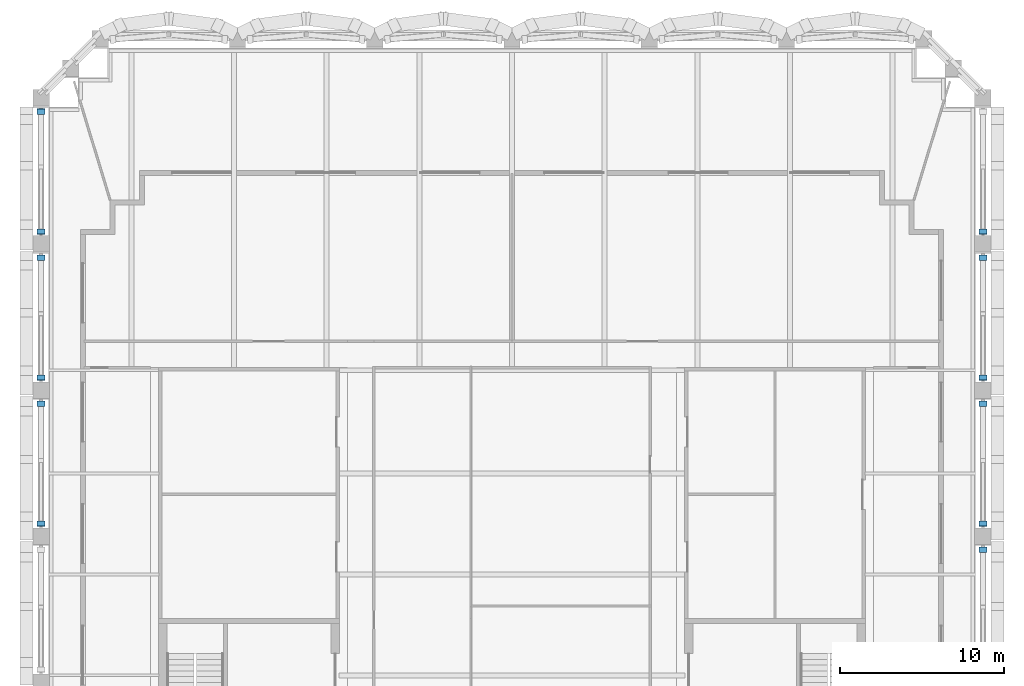
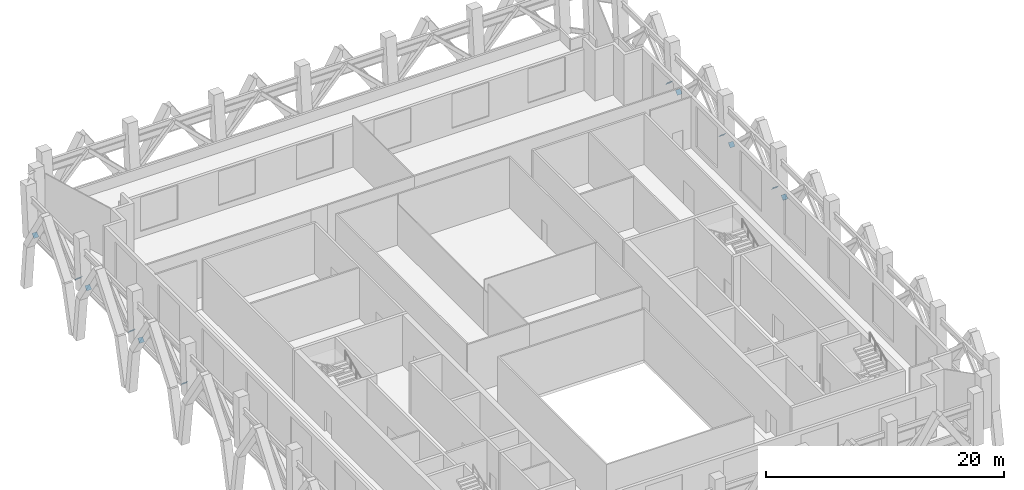
# One storey, part 10 of 13: 12 discrete accessories.
"""IFC4 building model written with IfcOpenShell, lengths in metres."""

from ifc_helpers import new_model, si_unit, direction, frame, origin, origin_2d, place, context, subcontext, project, spatial, rectangle, extrude, material, material_profile, profile_set, type_object, element, save


model = new_model("IFC4")

# Units and contexts
model_context = context("Model", 3, precision=1e-05, world=origin(), true_north=direction((0.0, 1.0)))
body_context = subcontext(model_context, "Body", "Model", "MODEL_VIEW")
ifc_project = project(units=[si_unit("LENGTHUNIT", "METRE"), si_unit("AREAUNIT", "SQUARE_METRE"), si_unit("VOLUMEUNIT", "CUBIC_METRE"), si_unit("PLANEANGLEUNIT", "RADIAN"), si_unit("MASSUNIT", "GRAM", prefix="KILO")], contexts=[model_context])

# Site, building, storey
site_placement = place(None, origin())
site = spatial("IfcSite", under=ifc_project, at=site_placement, CompositionType="ELEMENT")
building_placement = place(site_placement, origin())
building = spatial("IfcBuilding", under=site, at=building_placement, Name="Ogive Exchange Tower", CompositionType="ELEMENT")
storey_placement = place(building_placement, frame((0.0, 0.0, 363.60009765625)))
storey = spatial("IfcBuildingStorey", under=building, at=storey_placement, Name="L80", CompositionType="ELEMENT", Elevation=363.60009765625)

# Discrete accessories
ifc_material = material(Name="Steel ASTM A572 Gr50", Category="steel")
ifc_material_profile = material_profile(ifc_material, rectangle(XDim=0.47607421875, YDim=0.47607421875, at=origin_2d()), Name="PL 476 x 476 x 25")
ifc_profile_set = profile_set([ifc_material_profile], Name="Steel ASTM A572 Gr50")
discrete_accessory_type = type_object("IfcDiscreteAccessoryType", Name="Gusset plate 476 x 476 x 25", PredefinedType="USERDEFINED", material=ifc_profile_set)
for number, where, z_axis, x_axis, name in (
    (1, (28.64990234375, 29.944580078125, 0.66796875), (0.0, -0.731055268243, 0.68231825036), (1.0, 0.0, 0.0), "Belt truss diagonal 12b end plate A"),
    (2, (28.64990234375, 31.506591796875, 0.66796875), (0.0, 0.767424436745, 0.64113940285), (-1.0, 0.0, 0.0), "Belt truss diagonal 13a end plate A"),
    (3, (28.64990234375, 38.825927734375, 0.66796875), (0.0, -0.731055268243, 0.68231825036), (1.0, 0.0, 0.0), "Belt truss diagonal 13b end plate A"),
):
    element("IfcDiscreteAccessory", number, at=place(storey_placement, frame(where, z_axis=z_axis, x_axis=x_axis)), inside=storey, type_object=discrete_accessory_type, Name=name, ObjectType="GUSSET PLATE", PredefinedType="USERDEFINED", context=body_context, shape_type="SweptSolid", body=[
        extrude(rectangle(XDim=0.47607421875, YDim=0.47607421875, at=origin_2d()), origin(), (0.0, 0.0, 1.0), 0.025146484375),
    ])
discrete_accessory_1_placement = place(storey_placement, frame((28.64990234375, 40.38818359375, 0.66796875), z_axis=(0.0, 0.763386285369, 0.645942241466), x_axis=(-1.0, 0.0, 0.0)))
element("IfcDiscreteAccessory", 4, at=discrete_accessory_1_placement, inside=storey, type_object=discrete_accessory_type, Name="Belt truss diagonal 14a end plate A", ObjectType="GUSSET PLATE", PredefinedType="USERDEFINED", context=body_context, shape_type="SweptSolid", body=[
    extrude(rectangle(XDim=0.47607421875, YDim=0.47607421875, at=origin_2d()), origin(), (0.0, 0.0, 1.0), 0.02490234375),
])
discrete_accessory_2_placement = place(storey_placement, frame((28.64990234375, 47.707275390625, 0.66796875), z_axis=(0.0, -0.721582152295, 0.692328821796), x_axis=(1.0, 0.0, 0.0)))
element("IfcDiscreteAccessory", 5, at=discrete_accessory_2_placement, inside=storey, type_object=discrete_accessory_type, Name="Belt truss diagonal 14b end plate A", ObjectType="GUSSET PLATE", PredefinedType="USERDEFINED", context=body_context, shape_type="SweptSolid", body=[
    extrude(rectangle(XDim=0.47607421875, YDim=0.47607421875, at=origin_2d()), origin(), (0.0, 0.0, 1.0), 0.025146484375),
])
for number, where, z_axis, x_axis, name in (
    (6, (28.64990234375, 49.26953125, 0.66796875), (0.0, 0.772212319895, 0.635364567002), (-1.0, 0.0, 0.0), "Belt truss diagonal 15a end plate A"),
    (7, (-28.64990234375, 56.588623046875, 0.66796875), (0.0, -0.716858570585, 0.697218609747), (1.0, 0.0, 0.0), "Belt truss diagonal 26a end plate A"),
    (8, (-28.64990234375, 49.26953125, 0.66796875), (0.0, 0.772212319895, 0.635364567002), (-1.0, 0.0, 0.0), "Belt truss diagonal 26b end plate A"),
):
    element("IfcDiscreteAccessory", number, at=place(storey_placement, frame(where, z_axis=z_axis, x_axis=x_axis)), inside=storey, type_object=discrete_accessory_type, Name=name, ObjectType="GUSSET PLATE", PredefinedType="USERDEFINED", context=body_context, shape_type="SweptSolid", body=[
        extrude(rectangle(XDim=0.47607421875, YDim=0.47607421875, at=origin_2d()), origin(), (0.0, 0.0, 1.0), 0.02490234375),
    ])
discrete_accessory_3_placement = place(storey_placement, frame((-28.64990234375, 47.707275390625, 0.66796875), z_axis=(0.0, -0.721582152295, 0.692328821796), x_axis=(1.0, 0.0, 0.0)))
element("IfcDiscreteAccessory", 9, at=discrete_accessory_3_placement, inside=storey, type_object=discrete_accessory_type, Name="Belt truss diagonal 27a end plate A", ObjectType="GUSSET PLATE", PredefinedType="USERDEFINED", context=body_context, shape_type="SweptSolid", body=[
    extrude(rectangle(XDim=0.47607421875, YDim=0.47607421875, at=origin_2d()), origin(), (0.0, 0.0, 1.0), 0.025146484375),
])
discrete_accessory_4_placement = place(storey_placement, frame((-28.64990234375, 40.38818359375, 0.66796875), z_axis=(0.0, 0.763386285369, 0.645942241466), x_axis=(-1.0, 0.0, 0.0)))
element("IfcDiscreteAccessory", 10, at=discrete_accessory_4_placement, inside=storey, type_object=discrete_accessory_type, Name="Belt truss diagonal 27b end plate A", ObjectType="GUSSET PLATE", PredefinedType="USERDEFINED", context=body_context, shape_type="SweptSolid", body=[
    extrude(rectangle(XDim=0.47607421875, YDim=0.47607421875, at=origin_2d()), origin(), (0.0, 0.0, 1.0), 0.02490234375),
])
for number, where, z_axis, x_axis, name in (
    (11, (-28.64990234375, 38.825927734375, 0.66796875), (0.0, -0.731055268243, 0.68231825036), (1.0, 0.0, 0.0), "Belt truss diagonal 28a end plate A"),
    (12, (-28.64990234375, 31.506591796875, 0.66796875), (0.0, 0.767424436745, 0.64113940285), (-1.0, 0.0, 0.0), "Belt truss diagonal 28b end plate A"),
):
    element("IfcDiscreteAccessory", number, at=place(storey_placement, frame(where, z_axis=z_axis, x_axis=x_axis)), inside=storey, type_object=discrete_accessory_type, Name=name, ObjectType="GUSSET PLATE", PredefinedType="USERDEFINED", context=body_context, shape_type="SweptSolid", body=[
        extrude(rectangle(XDim=0.47607421875, YDim=0.47607421875, at=origin_2d()), origin(), (0.0, 0.0, 1.0), 0.025146484375),
    ])

save(model, "model.ifc")
